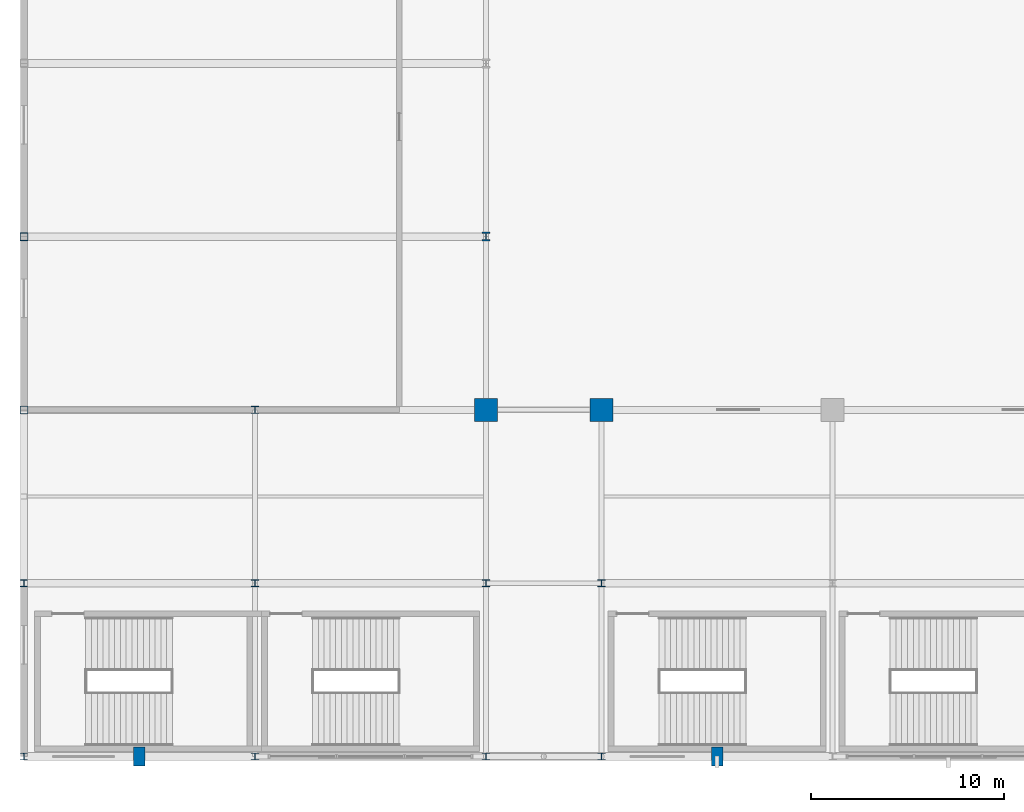
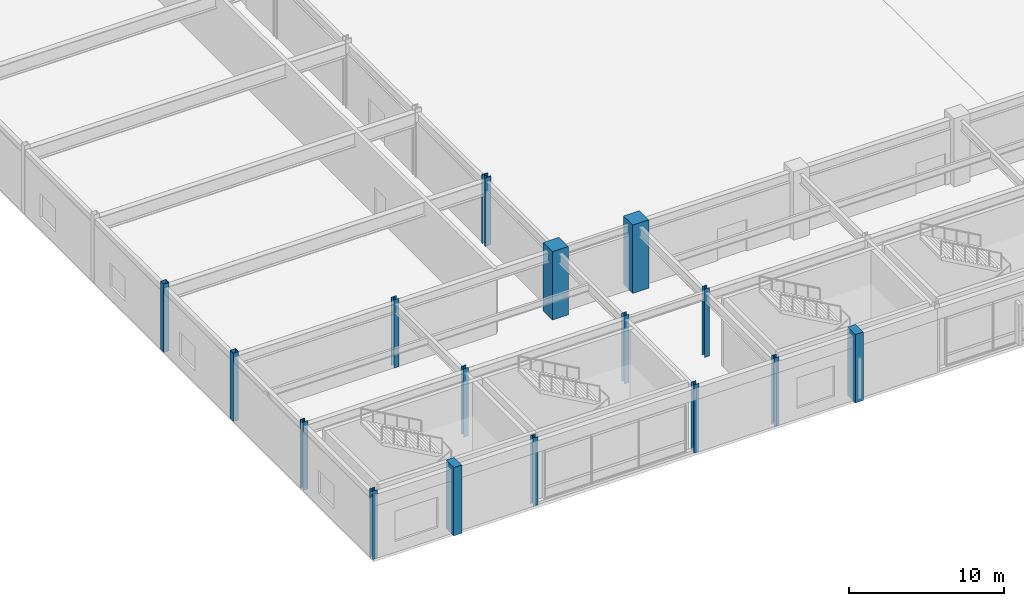
# One storey, part 1 of 100: 16 columns.
"""IFC4 building model written with IfcOpenShell, lengths in metres."""

from ifc_helpers import new_model, si_unit, direction, frame, origin, origin_2d, place, context, subcontext, project, spatial, rectangle, hollow_rectangle, i_section, extrude, material, material_profile, profile_set, type_object, element, save


model = new_model("IFC4")

# Units and contexts
model_context = context("Model", 3, precision=1e-05, world=origin(), true_north=direction((0.0, 1.0)))
body_context = subcontext(model_context, "Body", "Model", "MODEL_VIEW")
ifc_project = project(units=[si_unit("LENGTHUNIT", "METRE"), si_unit("AREAUNIT", "SQUARE_METRE"), si_unit("VOLUMEUNIT", "CUBIC_METRE"), si_unit("PLANEANGLEUNIT", "RADIAN"), si_unit("MASSUNIT", "GRAM", prefix="KILO")], contexts=[model_context])

# Site, building, storey
site_placement = place(None, origin())
site = spatial("IfcSite", under=ifc_project, at=site_placement, CompositionType="ELEMENT")
building_placement = place(site_placement, origin())
building = spatial("IfcBuilding", under=site, at=building_placement, Name="Kaldorvane Square Convention Centre", CompositionType="ELEMENT")
storey_placement = place(building_placement, frame((0.0, 0.0, 18.0)))
storey = spatial("IfcBuildingStorey", under=building, at=storey_placement, Name="L03", CompositionType="ELEMENT", Elevation=18.0)

# Columns
ifc_material_1 = material(Name="Steel ASTM A500 Gr. C", Category="steel")
ifc_material_profile_1 = material_profile(ifc_material_1, hollow_rectangle(XDim=0.406402587890625, YDim=0.406402587890625, WallThickness=0.014801025390625, at=origin_2d()), Name="HSS16X16X5/8")
ifc_profile_set_1 = profile_set([ifc_material_profile_1], Name="Steel ASTM A500 Gr. C")
column_type_1 = type_object("IfcColumnType", Name="COL-HSS-16", PredefinedType="COLUMN", material=ifc_profile_set_1)
for number, where, z_axis, x_axis, name in (
    (1, (0.0, 18.0, 0.0), (0.0, 0.0, 1.0), (1.0, 0.0, 0.0), "Column SC-14 (L03)"),
    (2, (0.0, 27.0, 0.0), (0.0, 0.0, 1.0), (1.0, 0.0, 0.0), "Column SC-14 (L03)"),
):
    element("IfcColumn", number, at=place(storey_placement, frame(where, z_axis=z_axis, x_axis=x_axis)), inside=storey, type_object=column_type_1, Name=name, PredefinedType="COLUMN", context=body_context, shape_type="SweptSolid", body=[
        extrude(hollow_rectangle(XDim=0.406402587890625, YDim=0.406402587890625, WallThickness=0.014801025390625, at=origin_2d()), origin(), (0.0, 0.0, 1.0), 5.399993896484375),
    ])
ifc_material_2 = material(Name="Concrete f'c = 55 MPa (Normalweight)", Category="concrete")
ifc_material_profile_2 = material_profile(ifc_material_2, rectangle(XDim=1.1999969482421875, YDim=1.1999969482421875, at=origin_2d()), Name="RC1200X1200")
ifc_profile_set_2 = profile_set([ifc_material_profile_2], Name="Concrete f'c = 55 MPa (Normalweight)")
column_type_2 = type_object("IfcColumnType", Name="COL-MEGA-1200", PredefinedType="COLUMN", material=ifc_profile_set_2)
for number, where, z_axis, x_axis, name in (
    (3, (24.0, 18.0, 0.0), (0.0, 0.0, 1.0), (1.0, 0.0, 0.0), "Column MC-02 (L03)"),
    (4, (30.0, 18.0, 0.0), (0.0, 0.0, 1.0), (1.0, 0.0, 0.0), "Column MC-02 (L03)"),
):
    element("IfcColumn", number, at=place(storey_placement, frame(where, z_axis=z_axis, x_axis=x_axis)), inside=storey, type_object=column_type_2, Name=name, PredefinedType="COLUMN", context=body_context, shape_type="SweptSolid", body=[
        extrude(rectangle(XDim=1.1999969482421875, YDim=1.1999969482421875, at=origin_2d()), origin(), (0.0, 0.0, 1.0), 5.399993896484375),
    ])
ifc_material_3 = material(Name="Steel ASTM A992 Gr. 50", Category="steel")
ifc_material_profile_3 = material_profile(ifc_material_3, i_section(OverallWidth=0.424102783203125, OverallDepth=0.4741973876953125, WebThickness=0.047607421875, FlangeThickness=0.0771026611328125, FilletRadius=0.0305023193359375, at=origin_2d()), Name="W14X426")
ifc_profile_set_3 = profile_set([ifc_material_profile_3], Name="Steel ASTM A992 Gr. 50")
column_type_3 = type_object("IfcColumnType", Name="COL-STL-426", PredefinedType="COLUMN", material=ifc_profile_set_3)
column_placement = place(storey_placement, frame((24.0, 27.0, 0.0), z_axis=(0.0, 0.0, 1.0), x_axis=(1.0, 0.0, 0.0)))
element("IfcColumn", 5, at=column_placement, inside=storey, type_object=column_type_3, Name="Column SC-04 (L03)", PredefinedType="COLUMN", context=body_context, shape_type="SweptSolid", body=[
    extrude(i_section(OverallWidth=0.424102783203125, OverallDepth=0.4741973876953125, WebThickness=0.047607421875, FlangeThickness=0.0771026611328125, FilletRadius=0.0305023193359375, at=origin_2d()), origin(), (0.0, 0.0, 1.0), 5.399993896484375),
])
ifc_material_profile_4 = material_profile(ifc_material_3, i_section(OverallWidth=0.3701019287109375, OverallDepth=0.360198974609375, WebThickness=0.012298583984375, FlangeThickness=0.019805908203125, FilletRadius=0.0305023193359375, at=origin_2d()), Name="W14X99")
ifc_profile_set_4 = profile_set([ifc_material_profile_4], Name="Steel ASTM A992 Gr. 50")
column_type_4 = type_object("IfcColumnType", Name="COL-STL-99", PredefinedType="COLUMN", material=ifc_profile_set_4)
for number, where, z_axis, x_axis, name in (
    (6, (0.0, 0.0, 0.0), (0.0, 0.0, 1.0), (1.0, 0.0, 0.0), "Column SC-12 (L03)"),
    (7, (0.0, 9.0, 0.0), (0.0, 0.0, 1.0), (1.0, 0.0, 0.0), "Column SC-12 (L03)"),
    (8, (12.0, 0.0, 0.0), (0.0, 0.0, 1.0), (1.0, 0.0, 0.0), "Column SC-12 (L03)"),
    (9, (12.0, 9.0, 0.0), (0.0, 0.0, 1.0), (1.0, 0.0, 0.0), "Column SC-12 (L03)"),
    (10, (12.0, 18.0, 0.0), (0.0, 0.0, 1.0), (1.0, 0.0, 0.0), "Column SC-12 (L03)"),
    (11, (24.0, 0.0, 0.0), (0.0, 0.0, 1.0), (1.0, 0.0, 0.0), "Column SC-12 (L03)"),
    (12, (24.0, 9.0, 0.0), (0.0, 0.0, 1.0), (1.0, 0.0, 0.0), "Column SC-12 (L03)"),
    (13, (30.0, 0.0, 0.0), (0.0, 0.0, 1.0), (1.0, 0.0, 0.0), "Column SC-12 (L03)"),
    (14, (30.0, 9.0, 0.0), (0.0, 0.0, 1.0), (1.0, 0.0, 0.0), "Column SC-12 (L03)"),
):
    element("IfcColumn", number, at=place(storey_placement, frame(where, z_axis=z_axis, x_axis=x_axis)), inside=storey, type_object=column_type_4, Name=name, PredefinedType="COLUMN", context=body_context, shape_type="SweptSolid", body=[
        extrude(i_section(OverallWidth=0.3701019287109375, OverallDepth=0.360198974609375, WebThickness=0.012298583984375, FlangeThickness=0.019805908203125, FilletRadius=0.0305023193359375, at=origin_2d()), origin(), (0.0, 0.0, 1.0), 5.399993896484375),
    ])
ifc_material_profile_5 = material_profile(ifc_material_2, rectangle(XDim=0.600006103515625, YDim=1.0, at=origin_2d()), Name="PIL1000X600")
ifc_profile_set_5 = profile_set([ifc_material_profile_5], Name="Concrete f'c = 55 MPa (Normalweight)")
column_type_5 = type_object("IfcColumnType", Name="PIL-BRUT-1000", PredefinedType="PILASTER", material=ifc_profile_set_5)
for number, where, z_axis, x_axis, name in (
    (15, (6.0, 0.0, 0.0), (0.0, 0.0, 1.0), (1.0, 0.0, 0.0), "Brutalist Colonnade Pilaster (L03)"),
    (16, (36.0, 0.0, 0.0), (0.0, 0.0, 1.0), (1.0, 0.0, 0.0), "Brutalist Colonnade Pilaster (L03)"),
):
    element("IfcColumn", number, at=place(storey_placement, frame(where, z_axis=z_axis, x_axis=x_axis)), inside=storey, type_object=column_type_5, Name=name, PredefinedType="PILASTER", context=body_context, shape_type="SweptSolid", body=[
        extrude(rectangle(XDim=0.600006103515625, YDim=1.0, at=origin_2d()), origin(), (0.0, 0.0, 1.0), 5.399993896484375),
    ])

save(model, "model.ifc")
